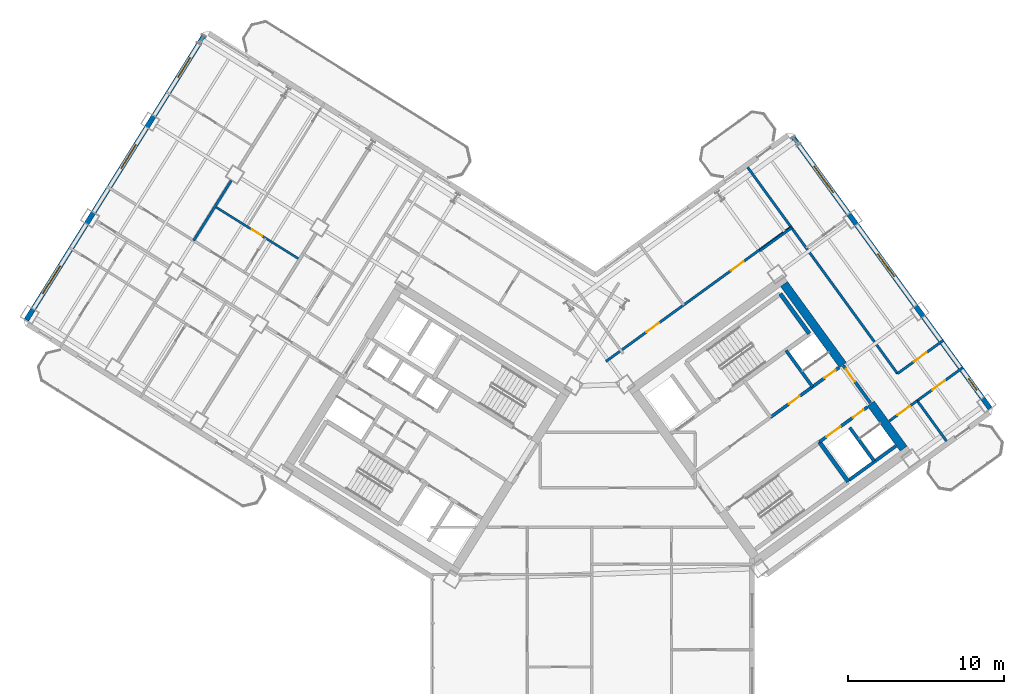
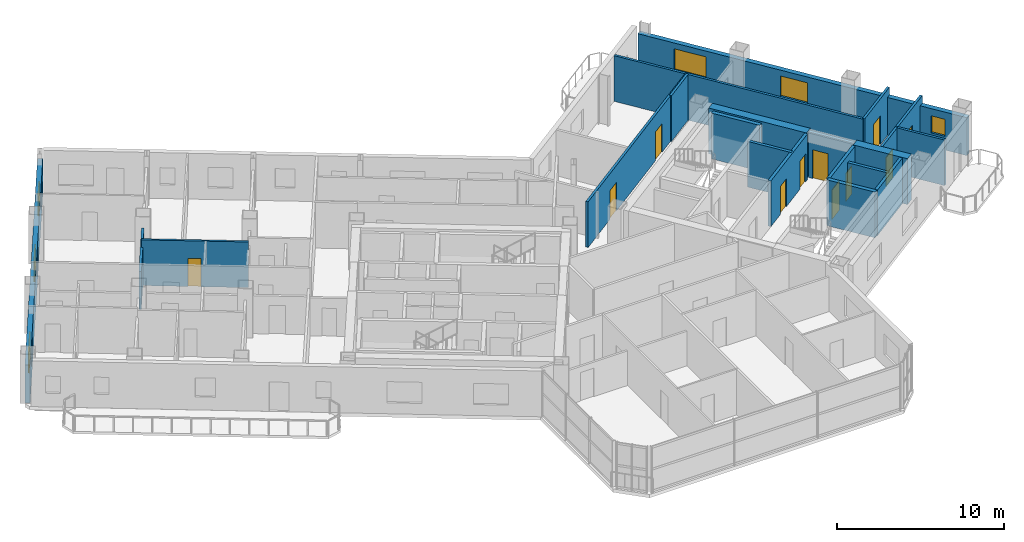
# One storey, part 15 of 20: 21 walls, 11 doors, 6 windows, 17 openings.
"""IFC4 building model written with IfcOpenShell, lengths in metres."""

from ifc_helpers import new_model, si_unit, direction, frame, frame_2d, origin, place, context, subcontext, project, spatial, rectangle, extrude, source, transform, mapped, material, layer, layer_set, type_object, element, fill, save


model = new_model("IFC4")

# Units and contexts
model_context = context("Model", 3, precision=1e-05, world=origin(), true_north=direction((0.0, 1.0)))
body_context = subcontext(model_context, "Body", "Model", "MODEL_VIEW")
ifc_project = project(units=[si_unit("LENGTHUNIT", "METRE"), si_unit("AREAUNIT", "SQUARE_METRE"), si_unit("VOLUMEUNIT", "CUBIC_METRE"), si_unit("PLANEANGLEUNIT", "RADIAN"), si_unit("MASSUNIT", "GRAM", prefix="KILO")], contexts=[model_context])

# Site, building, storey
site_placement = place(None, origin())
site = spatial("IfcSite", under=ifc_project, at=site_placement, CompositionType="ELEMENT")
building_placement = place(site_placement, origin())
building = spatial("IfcBuilding", under=site, at=building_placement, Name="Tlacorven Tower", CompositionType="ELEMENT")
storey_placement = place(building_placement, frame((0.0, 0.0, 108.89990234375)))
storey = spatial("IfcBuildingStorey", under=building, at=storey_placement, Name="L27", CompositionType="ELEMENT", Elevation=108.89990234375)

# Walls
ifc_material_1 = material(Name="Concrete C60/75", Category="concrete")
ifc_layer_1 = layer(ifc_material_1, 0.550048828125)
ifc_layer_set_1 = layer_set([ifc_layer_1], Name="Concrete C60/75")
wall_type_1 = type_object("IfcWallType", Name="WL-COR-550", PredefinedType="SHEAR", material=ifc_layer_set_1)
wall_1_placement = place(storey_placement, frame((61.9580078125, 20.453857421875, 0.0), z_axis=(0.0, 0.0, 1.0), x_axis=(-0.587802113096, 0.809004744015, 0.0)))
element("IfcWall", 1, at=wall_1_placement, inside=storey, type_object=wall_type_1, Name="L27 E core end wall E2.1", PredefinedType="SHEAR", context=body_context, shape_type="SweptSolid", body=[
    extrude(rectangle(XDim=3.574951171875, YDim=0.550048828125, at=frame_2d((1.78759765625, 0.0))), origin(), (0.0, 0.0, 1.0), 3.35009765625),
])
wall_2_placement = place(storey_placement, frame((58.06396484375, 25.8134765625, 0.0), z_axis=(0.0, 0.0, 1.0), x_axis=(-0.587764933797, 0.809031756236, 0.0)))
element("IfcWall", 2, at=wall_2_placement, inside=storey, type_object=wall_type_1, Name="L27 E core end wall E2.2", PredefinedType="SHEAR", context=body_context, shape_type="SweptSolid", body=[
    extrude(rectangle(XDim=6.425048828125, YDim=0.550048828125, at=frame_2d((3.21240234375, 0.0))), origin(), (0.0, 0.0, 1.0), 3.35009765625),
])
ifc_material_2 = material(Name="Gypsum plasterboard acoustic partition", Category="gypsum")
ifc_layer_2 = layer(ifc_material_2, 0.159912109375)
ifc_layer_set_2 = layer_set([ifc_layer_2], Name="Gypsum plasterboard acoustic partition")
wall_type_2 = type_object("IfcWallType", Name="WL-DEM-160", PredefinedType="PARTITIONING", material=ifc_layer_set_2)
wall_3_placement = place(storey_placement, frame((18.828125, 37.642578125, 0.0), z_axis=(0.0, 0.0, 1.0), x_axis=(-0.529926399231, -0.848043637673, 0.0)))
element("IfcWall", 3, at=wall_3_placement, inside=storey, type_object=wall_type_2, Name="L27 WS Demising Wall 2", PredefinedType="PARTITIONING", context=body_context, shape_type="SweptSolid", body=[
    extrude(rectangle(XDim=4.537841796875, YDim=0.159912109375, at=frame_2d((2.26904296875, 0.0))), origin(), (0.0, 0.0, 1.0), 2.775146484375),
])

# Wall, opening, door
wall_4_placement = place(storey_placement, frame((61.04150390625, 22.229248046875, 0.0), z_axis=(0.0, 0.0, 1.0), x_axis=(0.809075443949, 0.587704794942, 0.0)))
wall_4 = element("IfcWall", 4, at=wall_4_placement, inside=storey, type_object=wall_type_2, Name="L27 partition 90", PredefinedType="PARTITIONING", context=body_context, shape_type="SweptSolid", body=[
    extrude(rectangle(XDim=2.2080078125, YDim=0.159912109375, at=frame_2d((1.10400390625, 0.0))), origin(), (0.0, 0.0, 1.0), 3.340087890625),
])
opening_1_placement = place(wall_4_placement, frame((0.64794921875, 0.0, 0.0)))
opening_1 = element("IfcOpeningElement", 5, at=opening_1_placement, cuts=wall_4, Name="Opening D11", PredefinedType="OPENING", context=body_context, shape_type="SweptSolid", body=[
    extrude(rectangle(XDim=1.0, YDim=2.10009765625, at=frame_2d((0.5, 1.050048828125))), frame((0.0, 0.08984375, 0.0), z_axis=(0.0, -1.0, 0.0), x_axis=(1.0, 0.0, 0.0)), (0.0, 0.0, 1.0), 0.179931640625),
])
ifc_material_3 = material(Name="Fire-rated steel door assembly", Category="steel")
door_type_1 = type_object("IfcDoorType", Name="DR-FLT-FD60-1000", OperationType="NOTDEFINED", PredefinedType="DOOR", material=ifc_material_3)
shared_shape_1 = source(origin(), body_context, "Body", "SweptSolid", [
    extrude(rectangle(XDim=1.0, YDim=2.10009765625, at=frame_2d((0.5, 1.050048828125))), frame((0.0, 0.02490234375, 0.0), z_axis=(0.0, -1.0, 0.0), x_axis=(1.0, 0.0, 0.0)), (0.0, 0.0, 1.0), 0.050048828125),
])
door_1_placement = place(opening_1_placement, frame((1.0, 0.0, 0.0), z_axis=(0.0, 0.0, 1.0), x_axis=(-1.0, 0.0, 0.0)))
door_1 = element("IfcDoor", 6, at=door_1_placement, inside=storey, type_object=door_type_1, Name="L27 door 059", OperationType="SINGLE_SWING_LEFT", OverallHeight=2.10009765625, OverallWidth=1.0, PredefinedType="DOOR", context=body_context, shape_type="MappedRepresentation", body=[
    mapped(shared_shape_1, transform((0.0, 0.0, 0.0), scale=1.0)),
])
fill(opening_1, door_1)

# Walls
wall_5_placement = place(storey_placement, frame((52.73876953125, 33.143310546875, 0.0), z_axis=(0.0, 0.0, 1.0), x_axis=(0.809000999347, 0.58780726693, 0.0)))
element("IfcWall", 7, at=wall_5_placement, inside=storey, type_object=wall_type_2, Name="L27 partition 91", PredefinedType="PARTITIONING", context=body_context, shape_type="SweptSolid", body=[
    extrude(rectangle(XDim=2.510009765625, YDim=0.159912109375, at=frame_2d((1.2548828125, 0.0))), origin(), (0.0, 0.0, 1.0), 3.340087890625),
])
wall_6_placement = place(storey_placement, frame((64.708740234375, 20.93798828125, 0.0), z_axis=(0.0, 0.0, 1.0), x_axis=(-0.587772420479, 0.809026317077, 0.0)))
element("IfcWall", 8, at=wall_6_placement, inside=storey, type_object=wall_type_2, Name="L27 partition 92", PredefinedType="PARTITIONING", context=body_context, shape_type="SweptSolid", body=[
    extrude(rectangle(XDim=3.199951171875, YDim=0.159912109375, at=frame_2d((1.60009765625, 0.0))), origin(), (0.0, 0.0, 1.0), 3.340087890625),
])
wall_7_placement = place(storey_placement, frame((61.564208984375, 25.266357421875, 0.0), z_axis=(0.0, 0.0, 1.0), x_axis=(-0.587784527444, 0.809017521007, 0.0)))
element("IfcWall", 9, at=wall_7_placement, inside=storey, type_object=wall_type_2, Name="L27 partition 93", PredefinedType="PARTITIONING", context=body_context, shape_type="SweptSolid", body=[
    extrude(rectangle(XDim=16.35009765625, YDim=0.159912109375, at=frame_2d((8.175048828125, 0.0))), origin(), (0.0, 0.0, 1.0), 3.340087890625),
])

# Wall, opening, door
wall_8_placement = place(storey_placement, frame((62.827880859375, 23.52685546875, 0.0), z_axis=(0.0, 0.0, 1.0), x_axis=(0.809003564202, 0.587803736896, 0.0)))
wall_8 = element("IfcWall", 10, at=wall_8_placement, inside=storey, type_object=wall_type_2, Name="L27 partition 95", PredefinedType="PARTITIONING", context=body_context, shape_type="SweptSolid", body=[
    extrude(rectangle(XDim=3.630126953125, YDim=0.159912109375, at=frame_2d((1.81494140625, 0.0))), origin(), (0.0, 0.0, 1.0), 3.340087890625),
])
opening_2_placement = place(wall_8_placement, frame((1.199951171875, 0.0, 0.0)))
opening_2 = element("IfcOpeningElement", 11, at=opening_2_placement, cuts=wall_8, Name="Opening D11", PredefinedType="OPENING", context=body_context, shape_type="SweptSolid", body=[
    extrude(rectangle(XDim=1.0, YDim=2.10009765625, at=frame_2d((0.5, 1.050048828125))), frame((0.0, 0.08984375, 0.0), z_axis=(0.0, -1.0, 0.0), x_axis=(1.0, 0.0, 0.0)), (0.0, 0.0, 1.0), 0.179931640625),
])
door_2_placement = place(opening_2_placement, frame((1.0, 0.0, 0.0), z_axis=(0.0, 0.0, 1.0), x_axis=(-1.0, 0.0, 0.0)))
door_2 = element("IfcDoor", 12, at=door_2_placement, inside=storey, type_object=door_type_1, Name="L27 door 063", OperationType="SINGLE_SWING_LEFT", OverallHeight=2.10009765625, OverallWidth=1.0, PredefinedType="DOOR", context=body_context, shape_type="MappedRepresentation", body=[
    mapped(shared_shape_1, transform((0.0, 0.0, 0.0), scale=1.0)),
])
fill(opening_2, door_2)

wall_9_placement = place(storey_placement, frame((61.564208984375, 25.266357421875, 0.0), z_axis=(0.0, 0.0, 1.0), x_axis=(0.809012309495, 0.587791700422, 0.0)))
wall_9 = element("IfcWall", 13, at=wall_9_placement, inside=storey, type_object=wall_type_2, Name="L27 partition 96", PredefinedType="PARTITIONING", context=body_context, shape_type="SweptSolid", body=[
    extrude(rectangle(XDim=3.6298828125, YDim=0.159912109375, at=frame_2d((1.81494140625, 0.0))), origin(), (0.0, 0.0, 1.0), 3.340087890625),
])
opening_3_placement = place(wall_9_placement, frame((1.304931640625, 0.0, 0.0)))
opening_3 = element("IfcOpeningElement", 14, at=opening_3_placement, cuts=wall_9, Name="Opening D11", PredefinedType="OPENING", context=body_context, shape_type="SweptSolid", body=[
    extrude(rectangle(XDim=1.0, YDim=2.10009765625, at=frame_2d((0.5, 1.050048828125))), frame((0.0, 0.08984375, 0.0), z_axis=(0.0, -1.0, 0.0), x_axis=(1.0, 0.0, 0.0)), (0.0, 0.0, 1.0), 0.179931640625),
])
door_3_placement = place(opening_3_placement, origin())
door_3 = element("IfcDoor", 15, at=door_3_placement, inside=storey, type_object=door_type_1, Name="L27 door 061", OperationType="SINGLE_SWING_LEFT", OverallHeight=2.10009765625, OverallWidth=1.0, PredefinedType="DOOR", context=body_context, shape_type="MappedRepresentation", body=[
    mapped(shared_shape_1, transform((0.0, 0.0, 0.0), scale=1.0)),
])
fill(opening_3, door_3)

# Wall, openings, doors
wall_10_placement = place(storey_placement, frame((42.86572265625, 26.04443359375, 0.0), z_axis=(0.0, 0.0, 1.0), x_axis=(0.809020254154, 0.587780765566, 0.0)))
wall_10 = element("IfcWall", 16, at=wall_10_placement, inside=storey, type_object=wall_type_2, Name="L27 partition 98", PredefinedType="PARTITIONING", context=body_context, shape_type="SweptSolid", body=[
    extrude(rectangle(XDim=14.670166015625, YDim=0.159912109375, at=frame_2d((7.3349609375, 0.0))), origin(), (0.0, 0.0, 1.0), 3.340087890625),
])
opening_4_placement = place(wall_10_placement, frame((3.215087890625, 0.0, 0.0)))
opening_4 = element("IfcOpeningElement", 17, at=opening_4_placement, cuts=wall_10, Name="Opening D11", PredefinedType="OPENING", context=body_context, shape_type="SweptSolid", body=[
    extrude(rectangle(XDim=1.0, YDim=2.10009765625, at=frame_2d((0.5, 1.050048828125))), frame((0.0, 0.08984375, 0.0), z_axis=(0.0, -1.0, 0.0), x_axis=(1.0, 0.0, 0.0)), (0.0, 0.0, 1.0), 0.179931640625),
])
opening_5_placement = place(wall_10_placement, frame((9.9150390625, 0.0, 0.0)))
opening_5 = element("IfcOpeningElement", 18, at=opening_5_placement, cuts=wall_10, Name="Opening D11", PredefinedType="OPENING", context=body_context, shape_type="SweptSolid", body=[
    extrude(rectangle(XDim=1.0, YDim=2.10009765625, at=frame_2d((0.5, 1.050048828125))), frame((0.0, 0.08984375, 0.0), z_axis=(0.0, -1.0, 0.0), x_axis=(1.0, 0.0, 0.0)), (0.0, 0.0, 1.0), 0.179931640625),
])
door_4_placement = place(opening_4_placement, origin())
door_4 = element("IfcDoor", 19, at=door_4_placement, inside=storey, type_object=door_type_1, Name="L27 door 064", OperationType="SINGLE_SWING_RIGHT", OverallHeight=2.10009765625, OverallWidth=1.0, PredefinedType="DOOR", context=body_context, shape_type="MappedRepresentation", body=[
    mapped(shared_shape_1, transform((0.0, 0.0, 0.0), scale=1.0)),
])
fill(opening_4, door_4)
door_5_placement = place(opening_5_placement, origin())
door_5 = element("IfcDoor", 20, at=door_5_placement, inside=storey, type_object=door_type_1, Name="L27 door 065", OperationType="SINGLE_SWING_LEFT", OverallHeight=2.10009765625, OverallWidth=1.0, PredefinedType="DOOR", context=body_context, shape_type="MappedRepresentation", body=[
    mapped(shared_shape_1, transform((0.0, 0.0, 0.0), scale=1.0)),
])
fill(opening_5, door_5)

# Wall, openings, windows
ifc_material_4 = material(Name="Precast concrete C45/55", Category="concrete")
ifc_layer_3 = layer(ifc_material_4, 0.320068359375)
ifc_layer_set_3 = layer_set([ifc_layer_3], Name="Precast concrete C45/55")
wall_type_3 = type_object("IfcWallType", Name="WL-EXT-320", PredefinedType="STANDARD", material=ifc_layer_set_3)
wall_11_placement = place(storey_placement, frame((5.699951171875, 28.71044921875, 0.0), z_axis=(0.0, 0.0, 1.0), x_axis=(0.529923711467, 0.8480453172, 0.0)))
wall_11 = element("IfcWall", 21, at=wall_11_placement, inside=storey, type_object=wall_type_3, Name="L27 Masonry-Frame Recessed Facade Wall 2", PredefinedType="STANDARD", context=body_context, shape_type="SweptSolid", body=[
    extrude(rectangle(XDim=21.58740234375, YDim=0.320068359375, at=frame_2d((10.793701171875, 0.0))), origin(), (0.0, 0.0, 1.0), 2.775146484375),
])
opening_6_placement = place(wall_11_placement, frame((1.983642578125, 0.0, 0.800048828125)))
opening_6 = element("IfcOpeningElement", 22, at=opening_6_placement, cuts=wall_11, Name="Opening WN04", PredefinedType="OPENING", context=body_context, shape_type="SweptSolid", body=[
    extrude(rectangle(XDim=2.10009765625, YDim=1.550048828125, at=frame_2d((1.050048828125, 0.77490234375))), frame((0.0, 0.169921875, 0.0), z_axis=(0.0, -1.0, 0.0), x_axis=(1.0, 0.0, 0.0)), (0.0, 0.0, 1.0), 0.340087890625),
])
opening_7_placement = place(wall_11_placement, frame((11.458740234375, 0.0, 0.85009765625)))
opening_7 = element("IfcOpeningElement", 23, at=opening_7_placement, cuts=wall_11, Name="Opening WN01", PredefinedType="OPENING", context=body_context, shape_type="SweptSolid", body=[
    extrude(rectangle(XDim=1.800048828125, YDim=1.5, at=frame_2d((0.89990234375, 0.75))), frame((0.0, 0.169921875, 0.0), z_axis=(0.0, -1.0, 0.0), x_axis=(1.0, 0.0, 0.0)), (0.0, 0.0, 1.0), 0.340087890625),
])
opening_8_placement = place(wall_11_placement, frame((18.334716796875, 0.0, 0.85009765625)))
opening_8 = element("IfcOpeningElement", 24, at=opening_8_placement, cuts=wall_11, Name="Opening WN02", PredefinedType="OPENING", context=body_context, shape_type="SweptSolid", body=[
    extrude(rectangle(XDim=1.5, YDim=1.5, at=frame_2d((0.75, 0.75))), frame((0.0, 0.169921875, 0.0), z_axis=(0.0, -1.0, 0.0), x_axis=(1.0, 0.0, 0.0)), (0.0, 0.0, 1.0), 0.340087890625),
])
ifc_material_5 = material(Name="Dark solar low-E double glazing in anodised aluminium frame", Category="aluminium")
window_type_1 = type_object("IfcWindowType", Name="WN-APT-2100X1750", PartitioningType="SINGLE_PANEL", PredefinedType="WINDOW", material=ifc_material_5)
shared_shape_2 = source(origin(), body_context, "Body", "SweptSolid", [
    extrude(rectangle(XDim=2.10009765625, YDim=1.550048828125, at=frame_2d((1.050048828125, 0.77490234375))), frame((0.0, 0.030029296875, 0.0), z_axis=(0.0, -1.0, 0.0), x_axis=(1.0, 0.0, 0.0)), (0.0, 0.0, 1.0), 0.06005859375),
])
window_1_placement = place(opening_6_placement, origin())
window_1 = element("IfcWindow", 25, at=window_1_placement, inside=storey, type_object=window_type_1, Name="L27 Recessed Masonry-Frame Window L27-02.1", OverallHeight=1.550048828125, OverallWidth=2.10009765625, PartitioningType="SINGLE_PANEL", PredefinedType="WINDOW", context=body_context, shape_type="MappedRepresentation", body=[
    mapped(shared_shape_2, transform((0.0, 0.0, 0.0), scale=1.0)),
])
fill(opening_6, window_1)
window_type_2 = type_object("IfcWindowType", Name="WN-APT-1800X1650", PartitioningType="SINGLE_PANEL", PredefinedType="WINDOW", material=ifc_material_5)
shared_shape_3 = source(origin(), body_context, "Body", "SweptSolid", [
    extrude(rectangle(XDim=1.800048828125, YDim=1.5, at=frame_2d((0.89990234375, 0.75))), frame((0.0, 0.030029296875, 0.0), z_axis=(0.0, -1.0, 0.0), x_axis=(1.0, 0.0, 0.0)), (0.0, 0.0, 1.0), 0.06005859375),
])
window_2_placement = place(opening_7_placement, origin())
window_2 = element("IfcWindow", 26, at=window_2_placement, inside=storey, type_object=window_type_2, Name="L27 Recessed Masonry-Frame Window L27-02.2", OverallHeight=1.5, OverallWidth=1.800048828125, PartitioningType="SINGLE_PANEL", PredefinedType="WINDOW", context=body_context, shape_type="MappedRepresentation", body=[
    mapped(shared_shape_3, transform((0.0, 0.0, 0.0), scale=1.0)),
])
fill(opening_7, window_2)
window_type_3 = type_object("IfcWindowType", Name="WN-APT-1500X1650", PartitioningType="SINGLE_PANEL", PredefinedType="WINDOW", material=ifc_material_5)
shared_shape_4 = source(origin(), body_context, "Body", "SweptSolid", [
    extrude(rectangle(XDim=1.5, YDim=1.5, at=frame_2d((0.75, 0.75))), frame((0.0, 0.030029296875, 0.0), z_axis=(0.0, -1.0, 0.0), x_axis=(1.0, 0.0, 0.0)), (0.0, 0.0, 1.0), 0.06005859375),
])
window_3_placement = place(opening_8_placement, origin())
window_3 = element("IfcWindow", 27, at=window_3_placement, inside=storey, type_object=window_type_3, Name="L27 Recessed Masonry-Frame Window L27-02.3", OverallHeight=1.5, OverallWidth=1.5, PartitioningType="SINGLE_PANEL", PredefinedType="WINDOW", context=body_context, shape_type="MappedRepresentation", body=[
    mapped(shared_shape_4, transform((0.0, 0.0, 0.0), scale=1.0)),
])
fill(opening_8, window_3)

wall_12_placement = place(storey_placement, frame((54.810302734375, 40.49951171875, 0.0), z_axis=(0.0, 0.0, 1.0), x_axis=(0.587783625747, -0.809018176127, 0.0)))
wall_12 = element("IfcWall", 28, at=wall_12_placement, inside=storey, type_object=wall_type_3, Name="L27 Masonry-Frame Recessed Facade Wall 5", PredefinedType="STANDARD", context=body_context, shape_type="SweptSolid", body=[
    extrude(rectangle(XDim=21.58740234375, YDim=0.320068359375, at=frame_2d((10.793701171875, 0.0))), origin(), (0.0, 0.0, 1.0), 2.775146484375),
])
opening_9_placement = place(wall_12_placement, frame((2.381103515625, 0.0, 0.800048828125)))
opening_9 = element("IfcOpeningElement", 29, at=opening_9_placement, cuts=wall_12, Name="Opening WN04", PredefinedType="OPENING", context=body_context, shape_type="SweptSolid", body=[
    extrude(rectangle(XDim=2.10009765625, YDim=1.550048828125, at=frame_2d((1.050048828125, 0.77490234375))), frame((0.0, 0.169921875, 0.0), z_axis=(0.0, -1.0, 0.0), x_axis=(1.0, 0.0, 0.0)), (0.0, 0.0, 1.0), 0.340087890625),
])
opening_10_placement = place(wall_12_placement, frame((9.34375, 0.0, 0.85009765625)))
opening_10 = element("IfcOpeningElement", 30, at=opening_10_placement, cuts=wall_12, Name="Opening WN01", PredefinedType="OPENING", context=body_context, shape_type="SweptSolid", body=[
    extrude(rectangle(XDim=1.800048828125, YDim=1.5, at=frame_2d((0.89990234375, 0.75))), frame((0.0, 0.169921875, 0.0), z_axis=(0.0, -1.0, 0.0), x_axis=(1.0, 0.0, 0.0)), (0.0, 0.0, 1.0), 0.340087890625),
])
opening_11_placement = place(wall_12_placement, frame((19.233642578125, 0.0, 1.0)))
opening_11 = element("IfcOpeningElement", 31, at=opening_11_placement, cuts=wall_12, Name="Opening WN05", PredefinedType="OPENING", context=body_context, shape_type="SweptSolid", body=[
    extrude(rectangle(XDim=0.89990234375, YDim=1.25, at=frame_2d((0.449951171875, 0.625))), frame((0.0, 0.169921875, 0.0), z_axis=(0.0, -1.0, 0.0), x_axis=(1.0, 0.0, 0.0)), (0.0, 0.0, 1.0), 0.340087890625),
])
window_4_placement = place(opening_9_placement, origin())
window_4 = element("IfcWindow", 32, at=window_4_placement, inside=storey, type_object=window_type_1, Name="L27 Recessed Masonry-Frame Window L27-05.1", OverallHeight=1.550048828125, OverallWidth=2.10009765625, PartitioningType="SINGLE_PANEL", PredefinedType="WINDOW", context=body_context, shape_type="MappedRepresentation", body=[
    mapped(shared_shape_2, transform((0.0, 0.0, 0.0), scale=1.0)),
])
fill(opening_9, window_4)
window_5_placement = place(opening_10_placement, origin())
window_5 = element("IfcWindow", 33, at=window_5_placement, inside=storey, type_object=window_type_2, Name="L27 Recessed Masonry-Frame Window L27-05.2", OverallHeight=1.5, OverallWidth=1.800048828125, PartitioningType="SINGLE_PANEL", PredefinedType="WINDOW", context=body_context, shape_type="MappedRepresentation", body=[
    mapped(shared_shape_3, transform((0.0, 0.0, 0.0), scale=1.0)),
])
fill(opening_10, window_5)
window_type_4 = type_object("IfcWindowType", Name="WN-APT-0900X1350", PartitioningType="SINGLE_PANEL", PredefinedType="WINDOW", material=ifc_material_5)
shared_shape_5 = source(origin(), body_context, "Body", "SweptSolid", [
    extrude(rectangle(XDim=0.89990234375, YDim=1.25, at=frame_2d((0.449951171875, 0.625))), frame((0.0, 0.030029296875, 0.0), z_axis=(0.0, -1.0, 0.0), x_axis=(1.0, 0.0, 0.0)), (0.0, 0.0, 1.0), 0.06005859375),
])
window_6_placement = place(opening_11_placement, origin())
window_6 = element("IfcWindow", 34, at=window_6_placement, inside=storey, type_object=window_type_4, Name="L27 Recessed Masonry-Frame Window L27-05.3", OverallHeight=1.25, OverallWidth=0.89990234375, PartitioningType="SINGLE_PANEL", PredefinedType="WINDOW", context=body_context, shape_type="MappedRepresentation", body=[
    mapped(shared_shape_5, transform((0.0, 0.0, 0.0), scale=1.0)),
])
fill(opening_11, window_6)

# Wall, opening, door
ifc_material_6 = material(Name="Moisture-resistant gypsum plumbing wall", Category="gypsum")
ifc_layer_4 = layer(ifc_material_6, 0.139892578125)
ifc_layer_set_4 = layer_set([ifc_layer_4], Name="Moisture-resistant gypsum plumbing wall")
wall_type_4 = type_object("IfcWallType", Name="WL-PLM-140", PredefinedType="PLUMBINGWALL", material=ifc_layer_set_4)
wall_13_placement = place(storey_placement, frame((23.218017578125, 32.590576171875, 0.0), z_axis=(0.0, 0.0, 1.0), x_axis=(-0.848056163074, 0.529906354247, 0.0)))
wall_13 = element("IfcWall", 35, at=wall_13_placement, inside=storey, type_object=wall_type_4, Name="L27 partition 65", PredefinedType="PLUMBINGWALL", context=body_context, shape_type="SweptSolid", body=[
    extrude(rectangle(XDim=6.39990234375, YDim=0.139892578125, at=frame_2d((3.199951171875, 0.0))), origin(), (0.0, 0.0, 1.0), 3.340087890625),
])
opening_12_placement = place(wall_13_placement, frame((2.823974609375, 0.0, 0.0)))
opening_12 = element("IfcOpeningElement", 36, at=opening_12_placement, cuts=wall_13, Name="Opening D22", PredefinedType="OPENING", context=body_context, shape_type="SweptSolid", body=[
    extrude(rectangle(XDim=0.780029296875, YDim=2.050048828125, at=frame_2d((0.39013671875, 1.02490234375))), frame((0.0, 0.080078125, 0.0), z_axis=(0.0, -1.0, 0.0), x_axis=(1.0, 0.0, 0.0)), (0.0, 0.0, 1.0), 0.159912109375),
])
ifc_material_7 = material(Name="Powder-coated aluminium and timber door", Category="wood")
door_type_2 = type_object("IfcDoorType", Name="DR-INT-WET-0780", OperationType="NOTDEFINED", PredefinedType="DOOR", material=ifc_material_7)
shared_shape_6 = source(origin(), body_context, "Body", "SweptSolid", [
    extrude(rectangle(XDim=0.780029296875, YDim=2.050048828125, at=frame_2d((0.39013671875, 1.02490234375))), frame((0.0, 0.02490234375, 0.0), z_axis=(0.0, -1.0, 0.0), x_axis=(1.0, 0.0, 0.0)), (0.0, 0.0, 1.0), 0.050048828125),
])
door_6_placement = place(opening_12_placement, origin())
door_6 = element("IfcDoor", 37, at=door_6_placement, inside=storey, type_object=door_type_2, Name="L27 door 039", OperationType="SINGLE_SWING_LEFT", OverallHeight=2.050048828125, OverallWidth=0.780029296875, PredefinedType="DOOR", context=body_context, shape_type="MappedRepresentation", body=[
    mapped(shared_shape_6, transform((0.0, 0.0, 0.0), scale=1.0)),
])
fill(opening_12, door_6)

# Wall, openings, doors
ifc_material_8 = material(Name="Concrete C40/50", Category="concrete")
ifc_layer_5 = layer(ifc_material_8, 0.199951171875)
ifc_layer_set_5 = layer_set([ifc_layer_5], Name="Concrete C40/50")
wall_type_5 = type_object("IfcWallType", Name="WL-SHF-200", PredefinedType="STANDARD", material=ifc_layer_set_5)
wall_14_placement = place(storey_placement, frame((56.552978515625, 20.884033203125, 0.0), z_axis=(0.0, 0.0, 1.0), x_axis=(0.809023564264, 0.58777620951, 0.0)))
wall_14 = element("IfcWall", 38, at=wall_14_placement, inside=storey, type_object=wall_type_5, Name="L27 Core E South Lift Shaft Wall", PredefinedType="STANDARD", context=body_context, shape_type="SweptSolid", body=[
    extrude(rectangle(XDim=3.818115234375, YDim=0.199951171875, at=frame_2d((1.9091796875, 0.0))), origin(), (0.0, 0.0, 1.0), 3.340087890625),
])
opening_13_placement = place(wall_14_placement, frame((0.570068359375, 0.0, 0.0)))
opening_13 = element("IfcOpeningElement", 39, at=opening_13_placement, cuts=wall_14, Name="Opening LD01", PredefinedType="OPENING", context=body_context, shape_type="SweptSolid", body=[
    extrude(rectangle(XDim=1.10009765625, YDim=2.14990234375, at=frame_2d((0.550048828125, 1.074951171875))), frame((0.0, 0.10986328125, 0.0), z_axis=(0.0, -1.0, 0.0), x_axis=(1.0, 0.0, 0.0)), (0.0, 0.0, 1.0), 0.219970703125),
])
opening_14_placement = place(wall_14_placement, frame((2.64990234375, 0.0, 0.0)))
opening_14 = element("IfcOpeningElement", 40, at=opening_14_placement, cuts=wall_14, Name="Opening D19", PredefinedType="OPENING", context=body_context, shape_type="SweptSolid", body=[
    extrude(rectangle(XDim=0.860107421875, YDim=2.050048828125, at=frame_2d((0.43017578125, 1.02490234375))), frame((0.0, 0.10986328125, 0.0), z_axis=(0.0, -1.0, 0.0), x_axis=(1.0, 0.0, 0.0)), (0.0, 0.0, 1.0), 0.219970703125),
])
door_type_3 = type_object("IfcDoorType", Name="DR-RSR-FD60-0860", OperationType="NOTDEFINED", PredefinedType="DOOR", material=ifc_material_3)
shared_shape_7 = source(origin(), body_context, "Body", "SweptSolid", [
    extrude(rectangle(XDim=0.860107421875, YDim=2.050048828125, at=frame_2d((0.43017578125, 1.02490234375))), frame((0.0, 0.02490234375, 0.0), z_axis=(0.0, -1.0, 0.0), x_axis=(1.0, 0.0, 0.0)), (0.0, 0.0, 1.0), 0.050048828125),
])
door_7_placement = place(opening_14_placement, origin())
door_7 = element("IfcDoor", 41, at=door_7_placement, inside=storey, type_object=door_type_3, Name="L27 Smoke Extract Riser Access Door", OperationType="SINGLE_SWING_RIGHT", OverallHeight=2.050048828125, OverallWidth=0.860107421875, PredefinedType="DOOR", context=body_context, shape_type="MappedRepresentation", body=[
    mapped(shared_shape_7, transform((0.0, 0.0, 0.0), scale=1.0)),
])
fill(opening_14, door_7)
door_type_4 = type_object("IfcDoorType", Name="DR-LFT-SLID-1100", OperationType="DOUBLE_DOOR_SLIDING", PredefinedType="DOOR", material=ifc_material_3)
shared_shape_8 = source(origin(), body_context, "Body", "SweptSolid", [
    extrude(rectangle(XDim=1.10009765625, YDim=2.14990234375, at=frame_2d((0.550048828125, 1.074951171875))), frame((0.0, 0.02490234375, 0.0), z_axis=(0.0, -1.0, 0.0), x_axis=(1.0, 0.0, 0.0)), (0.0, 0.0, 1.0), 0.050048828125),
])
door_8_placement = place(opening_13_placement, origin())
door_8 = element("IfcDoor", 42, at=door_8_placement, inside=storey, type_object=door_type_4, Name="L27 Lift PL-M4 Sliding Landing Door", OperationType="DOUBLE_DOOR_SLIDING", OverallHeight=2.14990234375, OverallWidth=1.10009765625, PredefinedType="DOOR", context=body_context, shape_type="MappedRepresentation", body=[
    mapped(shared_shape_8, transform((0.0, 0.0, 0.0), scale=1.0)),
])
fill(opening_13, door_8)

# Walls
wall_15_placement = place(storey_placement, frame((60.066650390625, 19.654541015625, 0.0), z_axis=(0.0, 0.0, 1.0), x_axis=(-0.587800520745, 0.809005900975, 0.0)))
element("IfcWall", 43, at=wall_15_placement, inside=storey, type_object=wall_type_5, Name="L27 partition 37", PredefinedType="STANDARD", context=body_context, shape_type="SweptSolid", body=[
    extrude(rectangle(XDim=2.659912109375, YDim=0.199951171875, at=frame_2d((1.330078125, 0.0))), origin(), (0.0, 0.0, 1.0), 3.340087890625),
])
wall_16_placement = place(storey_placement, frame((58.47216796875, 18.446533203125, 0.0), z_axis=(0.0, 0.0, 1.0), x_axis=(0.809018631237, 0.587782999339, 0.0)))
element("IfcWall", 44, at=wall_16_placement, inside=storey, type_object=wall_type_5, Name="L27 partition 39", PredefinedType="STANDARD", context=body_context, shape_type="SweptSolid", body=[
    extrude(rectangle(XDim=3.697998046875, YDim=0.199951171875, at=frame_2d((1.84912109375, 0.0))), origin(), (0.0, 0.0, 1.0), 3.340087890625),
])
wall_17_placement = place(storey_placement, frame((56.110595703125, 24.4189453125, 0.0), z_axis=(0.0, 0.0, 1.0), x_axis=(-0.58777848983, 0.809021907548, 0.0)))
element("IfcWall", 45, at=wall_17_placement, inside=storey, type_object=wall_type_5, Name="L27 partition 42", PredefinedType="STANDARD", context=body_context, shape_type="SweptSolid", body=[
    extrude(rectangle(XDim=2.880126953125, YDim=0.199951171875, at=frame_2d((1.43994140625, 0.0))), origin(), (0.0, 0.0, 1.0), 3.340087890625),
])

# Wall, openings, doors
wall_18_placement = place(storey_placement, frame((53.424560546875, 22.467529296875, 0.0), z_axis=(0.0, 0.0, 1.0), x_axis=(0.809024377198, 0.587775090574, 0.0)))
wall_18 = element("IfcWall", 46, at=wall_18_placement, inside=storey, type_object=wall_type_5, Name="L27 Core E North Service Wall", PredefinedType="STANDARD", context=body_context, shape_type="SweptSolid", body=[
    extrude(rectangle(XDim=5.41796875, YDim=0.199951171875, at=frame_2d((2.708984375, 0.0))), origin(), (0.0, 0.0, 1.0), 3.340087890625),
])
opening_15_placement = place(wall_18_placement, frame((4.280029296875, 0.0, 0.0)))
opening_15 = element("IfcOpeningElement", 47, at=opening_15_placement, cuts=wall_18, Name="Opening D19", PredefinedType="OPENING", context=body_context, shape_type="SweptSolid", body=[
    extrude(rectangle(XDim=0.860107421875, YDim=2.050048828125, at=frame_2d((0.43017578125, 1.02490234375))), frame((0.0, 0.10986328125, 0.0), z_axis=(0.0, -1.0, 0.0), x_axis=(1.0, 0.0, 0.0)), (0.0, 0.0, 1.0), 0.219970703125),
])
opening_16_placement = place(wall_18_placement, frame((1.449951171875, 0.0, 0.0)))
opening_16 = element("IfcOpeningElement", 48, at=opening_16_placement, cuts=wall_18, Name="Opening D19", PredefinedType="OPENING", context=body_context, shape_type="SweptSolid", body=[
    extrude(rectangle(XDim=0.860107421875, YDim=2.050048828125, at=frame_2d((0.43017578125, 1.02490234375))), frame((0.0, 0.10986328125, 0.0), z_axis=(0.0, -1.0, 0.0), x_axis=(1.0, 0.0, 0.0)), (0.0, 0.0, 1.0), 0.219970703125),
])
door_9_placement = place(opening_15_placement, frame((0.860107421875, 0.0, 0.0), z_axis=(0.0, 0.0, 1.0), x_axis=(-1.0, 0.0, 0.0)))
door_9 = element("IfcDoor", 49, at=door_9_placement, inside=storey, type_object=door_type_3, Name="L27 Electrical Riser Access Door E", OperationType="SINGLE_SWING_LEFT", OverallHeight=2.050048828125, OverallWidth=0.860107421875, PredefinedType="DOOR", context=body_context, shape_type="MappedRepresentation", body=[
    mapped(shared_shape_7, transform((0.0, 0.0, 0.0), scale=1.0)),
])
fill(opening_15, door_9)
door_10_placement = place(opening_16_placement, frame((0.860107421875, 0.0, 0.0), z_axis=(0.0, 0.0, 1.0), x_axis=(-1.0, 0.0, 0.0)))
door_10 = element("IfcDoor", 50, at=door_10_placement, inside=storey, type_object=door_type_3, Name="L27 Housekeeping Linen Access Door E", OperationType="SINGLE_SWING_RIGHT", OverallHeight=2.050048828125, OverallWidth=0.860107421875, PredefinedType="DOOR", context=body_context, shape_type="MappedRepresentation", body=[
    mapped(shared_shape_7, transform((0.0, 0.0, 0.0), scale=1.0)),
])
fill(opening_16, door_10)

# Wall, opening, door
wall_19_placement = place(storey_placement, frame((59.827392578125, 23.386474609375, 0.0), z_axis=(0.0, 0.0, 1.0), x_axis=(-0.587803840107, 0.809003489211, 0.0)))
wall_19 = element("IfcWall", 51, at=wall_19_placement, inside=storey, type_object=wall_type_5, Name="L27 partition 89", PredefinedType="STANDARD", context=body_context, shape_type="SweptSolid", body=[
    extrude(rectangle(XDim=2.960205078125, YDim=0.199951171875, at=frame_2d((1.47998046875, 0.0))), origin(), (0.0, 0.0, 1.0), 3.340087890625),
])
opening_17_placement = place(wall_19_placement, frame((1.679931640625, 0.0, 0.0)))
opening_17 = element("IfcOpeningElement", 52, at=opening_17_placement, cuts=wall_19, Name="Opening D11", PredefinedType="OPENING", context=body_context, shape_type="SweptSolid", body=[
    extrude(rectangle(XDim=1.0, YDim=2.10009765625, at=frame_2d((0.5, 1.050048828125))), frame((0.0, 0.10986328125, 0.0), z_axis=(0.0, -1.0, 0.0), x_axis=(1.0, 0.0, 0.0)), (0.0, 0.0, 1.0), 0.219970703125),
])
door_11_placement = place(opening_17_placement, origin())
door_11 = element("IfcDoor", 53, at=door_11_placement, inside=storey, type_object=door_type_1, Name="L27 door 060", OperationType="SINGLE_SWING_RIGHT", OverallHeight=2.10009765625, OverallWidth=1.0, PredefinedType="DOOR", context=body_context, shape_type="MappedRepresentation", body=[
    mapped(shared_shape_1, transform((0.0, 0.0, 0.0), scale=1.0)),
])
fill(opening_17, door_11)

# Walls
ifc_material_9 = material(Name="Concrete C50/60", Category="concrete")
ifc_layer_6 = layer(ifc_material_9, 0.260009765625)
ifc_layer_set_6 = layer_set([ifc_layer_6], Name="Concrete C50/60")
wall_type_6 = type_object("IfcWallType", Name="WL-STW-260", PredefinedType="SHEAR", material=ifc_layer_set_6)
wall_20_placement = place(storey_placement, frame((55.906494140625, 27.83056640625, 0.0), z_axis=(0.0, 0.0, 1.0), x_axis=(-0.587804123638, 0.809003283204, 0.0)))
element("IfcWall", 54, at=wall_20_placement, inside=storey, type_object=wall_type_6, Name="L27 Stair E1 East Shear Wall", PredefinedType="SHEAR", context=body_context, shape_type="SweptSolid", body=[
    extrude(rectangle(XDim=3.159912109375, YDim=0.260009765625, at=frame_2d((1.580078125, 0.0))), origin(), (0.0, 0.0, 1.0), 3.35009765625),
])
wall_21_placement = place(storey_placement, frame((58.410400390625, 18.327392578125, 0.0), z_axis=(0.0, 0.0, 1.0), x_axis=(-0.58776738483, 0.809029975545, 0.0)))
element("IfcWall", 55, at=wall_21_placement, inside=storey, type_object=wall_type_6, Name="L27 Stair E2 East Shear Wall", PredefinedType="SHEAR", context=body_context, shape_type="SweptSolid", body=[
    extrude(rectangle(XDim=3.16015625, YDim=0.260009765625, at=frame_2d((1.580078125, 0.0))), origin(), (0.0, 0.0, 1.0), 3.35009765625),
])

save(model, "model.ifc")
